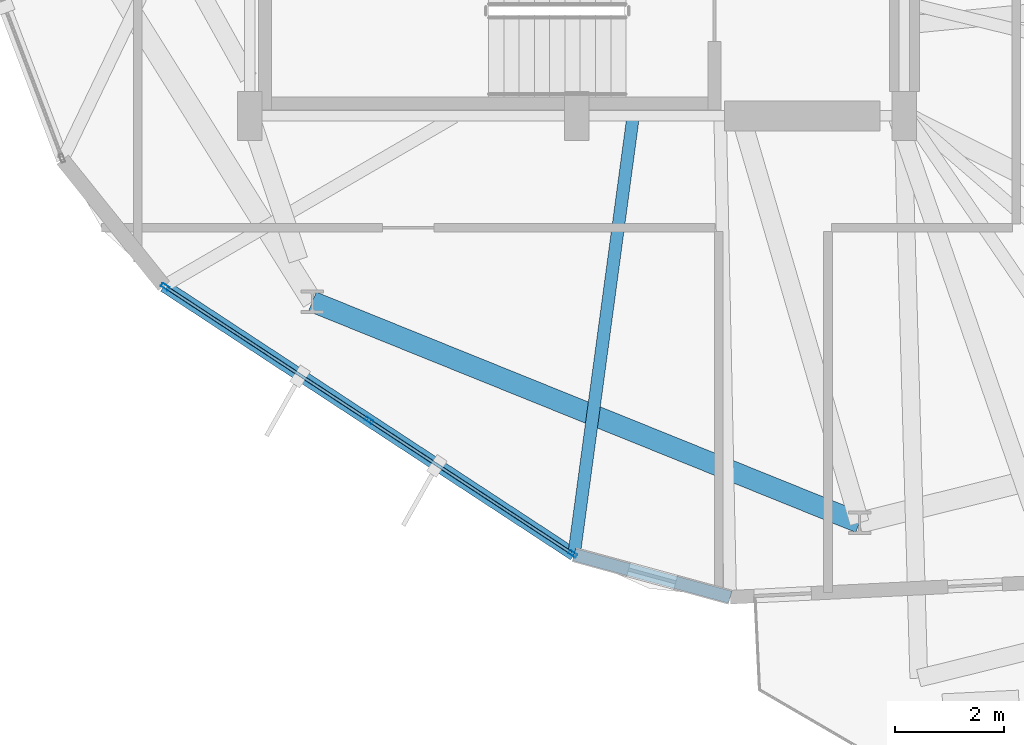
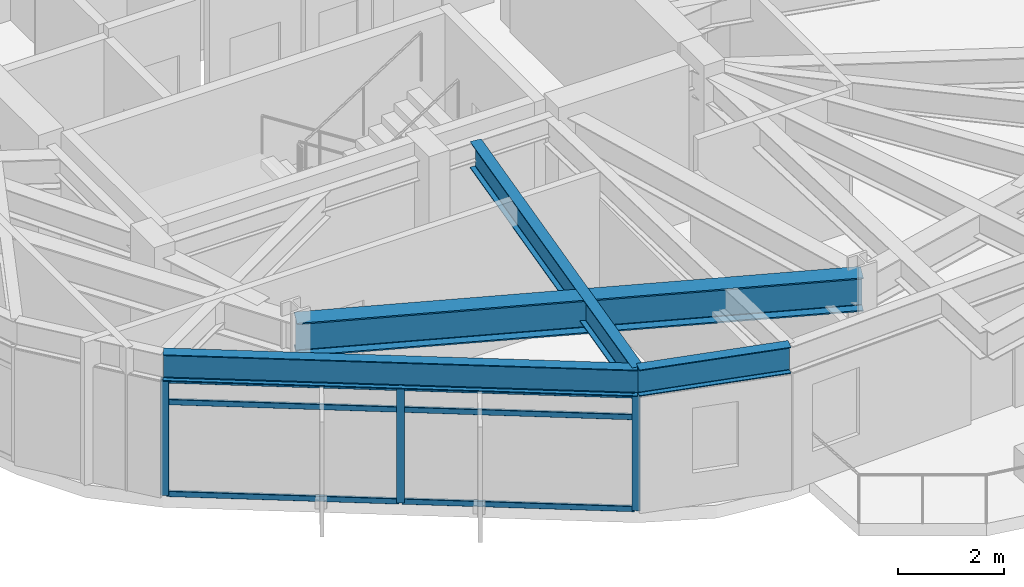
# One storey, part 2 of 23: 9 members, 4 beams, 1 element without a shape of its own.
"""IFC4 building model written with IfcOpenShell, lengths in metres."""

from ifc_helpers import new_model, si_unit, direction, frame, origin, origin_2d, place, context, subcontext, project, spatial, hollow_rectangle, i_section, extrude, material, layer, layer_set, material_profile, profile_set, type_object, element, aggregate, save


model = new_model("IFC4")

# Units and contexts
model_context = context("Model", 3, precision=1e-05, world=origin(), true_north=direction((0.0, 1.0)))
body_context = subcontext(model_context, "Body", "Model", "MODEL_VIEW")
ifc_project = project(units=[si_unit("LENGTHUNIT", "METRE"), si_unit("AREAUNIT", "SQUARE_METRE"), si_unit("VOLUMEUNIT", "CUBIC_METRE"), si_unit("PLANEANGLEUNIT", "RADIAN"), si_unit("MASSUNIT", "GRAM", prefix="KILO")], contexts=[model_context])

# Site, building, storey
site_placement = place(None, origin())
site = spatial("IfcSite", under=ifc_project, at=site_placement, CompositionType="ELEMENT")
building_placement = place(site_placement, origin())
building = spatial("IfcBuilding", under=site, at=building_placement, Name="Soratama Intermodal Tower", CompositionType="ELEMENT")
storey_placement = place(building_placement, frame((0.0, 0.0, 175.0)))
storey = spatial("IfcBuildingStorey", under=building, at=storey_placement, Name="L43", CompositionType="ELEMENT", Elevation=175.0)

# Beams
ifc_material_1 = material(Name="Structural steel ASTM A992 Grade 50", Category="steel")
ifc_material_profile_1 = material_profile(ifc_material_1, i_section(OverallWidth=0.382080078125, OverallDepth=0.779052734375, WebThickness=0.01806640625, FlangeThickness=0.030029296875, FilletRadius=0.01806640625, at=origin_2d()), Name="W30X191")
ifc_profile_set_1 = profile_set([ifc_material_profile_1], Name="Structural steel ASTM A992 Grade 50")
beam_type_1 = type_object("IfcBeamType", Name="BM-RING-W30X191", PredefinedType="BEAM", material=ifc_profile_set_1)
beam_1_placement = place(storey_placement, frame((33.7509765625, 11.593994140625, 2.910400390625), z_axis=(0.927202491827, -0.374560461275, 0.0), x_axis=(0.374560461275, 0.927202491827, 0.0)))
element("IfcBeam", 1, at=beam_1_placement, inside=storey, type_object=beam_type_1, Name="BM-L43-RING-07", PredefinedType="BEAM", context=body_context, shape_type="SweptSolid", body=[
    extrude(i_section(OverallWidth=0.382080078125, OverallDepth=0.779052734375, WebThickness=0.01806640625, FlangeThickness=0.030029296875, FilletRadius=0.01806640625, at=origin_2d()), origin(), (0.0, 0.0, 1.0), 10.8154296875),
])
ifc_material_2 = material(Name="Structural steel ASTM A992 Grade 50", Category="steel")
ifc_material_profile_2 = material_profile(ifc_material_2, i_section(OverallWidth=0.22900390625, OverallDepth=0.612060546875, WebThickness=0.011962890625, FlangeThickness=0.01953125, FilletRadius=0.012939453125, at=origin_2d()), Name="W24X84")
ifc_profile_set_2 = profile_set([ifc_material_profile_2], Name="Structural steel ASTM A992 Grade 50")
beam_type_2 = type_object("IfcBeamType", Name="BM-SPN-W24X84", PredefinedType="SPANDREL", material=ifc_profile_set_2)
beam_2_placement = place(storey_placement, frame((31.031982421875, 11.883056640625, 2.993896484375), z_axis=(0.836343004846, -0.548206510583, 0.0), x_axis=(0.548206510583, 0.836343004846, 0.0)))
element("IfcBeam", 2, at=beam_2_placement, inside=storey, type_object=beam_type_2, Name="BS-L43-F06", PredefinedType="SPANDREL", context=body_context, shape_type="SweptSolid", body=[
    extrude(i_section(OverallWidth=0.22900390625, OverallDepth=0.612060546875, WebThickness=0.011962890625, FlangeThickness=0.01953125, FilletRadius=0.012939453125, at=origin_2d()), origin(), (0.0, 0.0, 1.0), 8.985595703125),
])
beam_3_placement = place(storey_placement, frame((38.547119140625, 6.95703125, 2.993896484375), z_axis=(0.964887186331, -0.262664648659, 0.0), x_axis=(0.262664648659, 0.964887186331, 0.0)))
element("IfcBeam", 3, at=beam_3_placement, inside=storey, type_object=beam_type_2, Name="BS-L43-CRN06", PredefinedType="SPANDREL", context=body_context, shape_type="SweptSolid", body=[
    extrude(i_section(OverallWidth=0.22900390625, OverallDepth=0.612060546875, WebThickness=0.011962890625, FlangeThickness=0.01953125, FilletRadius=0.012939453125, at=origin_2d()), origin(), (0.0, 0.0, 1.0), 2.966064453125),
])
ifc_material_3 = material(Name="Structural steel ASTM A992 Grade 50", Category="steel")
ifc_material_profile_3 = material_profile(ifc_material_3, i_section(OverallWidth=0.22900390625, OverallDepth=0.612060546875, WebThickness=0.011962890625, FlangeThickness=0.01953125, FilletRadius=0.012939453125, at=origin_2d()), Name="W24X84")
ifc_profile_set_3 = profile_set([ifc_material_profile_3], Name="Structural steel ASTM A992 Grade 50")
beam_type_3 = type_object("IfcBeamType", Name="BM-TIE-W24X84", PredefinedType="BEAM", material=ifc_profile_set_3)
beam_4_placement = place(storey_placement, frame((39.6259765625, 14.9599609375, 2.993896484375), z_axis=(-0.133599315551, -0.991035429682, 0.0), x_axis=(0.991035429682, -0.133599315551, 0.0)))
element("IfcBeam", 4, at=beam_4_placement, inside=storey, type_object=beam_type_3, Name="BM-L43-TIE1-06", PredefinedType="BEAM", context=body_context, shape_type="SweptSolid", body=[
    extrude(i_section(OverallWidth=0.22900390625, OverallDepth=0.612060546875, WebThickness=0.011962890625, FlangeThickness=0.01953125, FilletRadius=0.012939453125, at=origin_2d()), origin(), (0.0, 0.0, 1.0), 8.075439453125),
])

# Curtain wall, members
ifc_material_4 = material(Name="Double-glazed aluminium curtain wall", Category="aluminium")
ifc_layer = layer(ifc_material_4, 0.159912109375)
ifc_layer_set = layer_set([ifc_layer], Name="Double-glazed aluminium curtain wall")
curtain_wall_type = type_object("IfcCurtainWallType", Name="CW-SYS-4", PredefinedType="NOTDEFINED", material=ifc_layer_set)
curtain_wall_placement = place(storey_placement, origin())
curtain_wall = element("IfcCurtainWall", 5, at=curtain_wall_placement, inside=storey, type_object=curtain_wall_type, Name="L43 Faceted Curtain Wall F06", PredefinedType="NOTDEFINED")
ifc_material_5 = material(Name="Anodised aluminium AA 6063-T6", Category="aluminium")
ifc_material_profile_4 = material_profile(ifc_material_5, hollow_rectangle(XDim=0.070068359375, YDim=0.159912109375, WallThickness=0.0048828125, InnerFilletRadius=0.0048828125, OuterFilletRadius=0.010009765625, at=origin_2d()), Name="CWM160X70X5")
ifc_profile_set_4 = profile_set([ifc_material_profile_4], Name="Anodised aluminium AA 6063-T6")
member_type_1 = type_object("IfcMemberType", Name="MT-CWM-4", PredefinedType="MULLION", material=ifc_profile_set_4)
member_1_placement = place(storey_placement, frame((31.056640625, 11.866455078125, 0.0), z_axis=(0.0, 0.0, 1.0), x_axis=(0.548141973426, 0.836385304133, 0.0)))
member_1 = element("IfcMember", 6, at=member_1_placement, type_object=member_type_1, Name="CW-4 mullion 1", PredefinedType="MULLION", context=body_context, shape_type="SweptSolid", body=[
    extrude(hollow_rectangle(XDim=0.070068359375, YDim=0.159912109375, WallThickness=0.0048828125, InnerFilletRadius=0.0048828125, OuterFilletRadius=0.010009765625, at=origin_2d()), origin(), (0.0, 0.0, 1.0), 2.678955078125),
])
member_2_placement = place(storey_placement, frame((34.789306640625, 9.420166015625, 0.0), z_axis=(0.0, 0.0, 1.0), x_axis=(0.548141973426, 0.836385304133, 0.0)))
member_2 = element("IfcMember", 7, at=member_2_placement, type_object=member_type_1, Name="CW-4 mullion 2", PredefinedType="MULLION", context=body_context, shape_type="SweptSolid", body=[
    extrude(hollow_rectangle(XDim=0.070068359375, YDim=0.159912109375, WallThickness=0.0048828125, InnerFilletRadius=0.0048828125, OuterFilletRadius=0.010009765625, at=origin_2d()), origin(), (0.0, 0.0, 1.0), 2.678955078125),
])
member_3_placement = place(storey_placement, frame((38.52197265625, 6.973876953125, 0.0), z_axis=(0.0, 0.0, 1.0), x_axis=(0.548141973426, 0.836385304133, 0.0)))
member_3 = element("IfcMember", 8, at=member_3_placement, type_object=member_type_1, Name="CW-4 mullion 3", PredefinedType="MULLION", context=body_context, shape_type="SweptSolid", body=[
    extrude(hollow_rectangle(XDim=0.070068359375, YDim=0.159912109375, WallThickness=0.0048828125, InnerFilletRadius=0.0048828125, OuterFilletRadius=0.010009765625, at=origin_2d()), origin(), (0.0, 0.0, 1.0), 2.678955078125),
])
ifc_material_6 = material(Name="Anodised aluminium AA 6063-T6", Category="aluminium")
ifc_material_profile_5 = material_profile(ifc_material_6, hollow_rectangle(XDim=0.06005859375, YDim=0.1298828125, WallThickness=0.0048828125, InnerFilletRadius=0.0048828125, OuterFilletRadius=0.010009765625, at=origin_2d()), Name="CWT130X60X5")
ifc_profile_set_5 = profile_set([ifc_material_profile_5], Name="Anodised aluminium AA 6063-T6")
member_type_2 = type_object("IfcMemberType", Name="TT-CWT-2", PredefinedType="USERDEFINED", material=ifc_profile_set_5)
member_4_placement = place(storey_placement, frame((31.081787109375, 11.85009765625, 0.030029296875), z_axis=(0.836358563965, -0.54818277288, 0.0), x_axis=(0.54818277288, 0.836358563965, 0.0)))
member_4 = element("IfcMember", 9, at=member_4_placement, type_object=member_type_2, Name="CW-4 transom 1.1", ObjectType="TRANSOM", PredefinedType="USERDEFINED", context=body_context, shape_type="SweptSolid", body=[
    extrude(hollow_rectangle(XDim=0.06005859375, YDim=0.1298828125, WallThickness=0.0048828125, InnerFilletRadius=0.0048828125, OuterFilletRadius=0.010009765625, at=origin_2d()), origin(), (0.0, 0.0, 1.0), 4.40283203125),
])
member_5_placement = place(storey_placement, frame((31.081787109375, 11.85009765625, 2.14990234375), z_axis=(0.836358563965, -0.54818277288, 0.0), x_axis=(0.54818277288, 0.836358563965, 0.0)))
member_5 = element("IfcMember", 10, at=member_5_placement, type_object=member_type_2, Name="CW-4 transom 1.2", ObjectType="TRANSOM", PredefinedType="USERDEFINED", context=body_context, shape_type="SweptSolid", body=[
    extrude(hollow_rectangle(XDim=0.06005859375, YDim=0.1298828125, WallThickness=0.0048828125, InnerFilletRadius=0.0048828125, OuterFilletRadius=0.010009765625, at=origin_2d()), origin(), (0.0, 0.0, 1.0), 4.40283203125),
])
member_6_placement = place(storey_placement, frame((31.081787109375, 11.85009765625, 2.64892578125), z_axis=(0.836358563965, -0.54818277288, 0.0), x_axis=(0.54818277288, 0.836358563965, 0.0)))
member_6 = element("IfcMember", 11, at=member_6_placement, type_object=member_type_2, Name="CW-4 transom 1.3", ObjectType="TRANSOM", PredefinedType="USERDEFINED", context=body_context, shape_type="SweptSolid", body=[
    extrude(hollow_rectangle(XDim=0.06005859375, YDim=0.1298828125, WallThickness=0.0048828125, InnerFilletRadius=0.0048828125, OuterFilletRadius=0.010009765625, at=origin_2d()), origin(), (0.0, 0.0, 1.0), 4.40283203125),
])
member_7_placement = place(storey_placement, frame((34.814453125, 9.40380859375, 0.030029296875), z_axis=(0.836358563965, -0.54818277288, 0.0), x_axis=(0.54818277288, 0.836358563965, 0.0)))
member_7 = element("IfcMember", 12, at=member_7_placement, type_object=member_type_2, Name="CW-4 transom 2.1", ObjectType="TRANSOM", PredefinedType="USERDEFINED", context=body_context, shape_type="SweptSolid", body=[
    extrude(hollow_rectangle(XDim=0.06005859375, YDim=0.1298828125, WallThickness=0.0048828125, InnerFilletRadius=0.0048828125, OuterFilletRadius=0.010009765625, at=origin_2d()), origin(), (0.0, 0.0, 1.0), 4.40283203125),
])
member_8_placement = place(storey_placement, frame((34.814453125, 9.40380859375, 2.14990234375), z_axis=(0.836358563965, -0.54818277288, 0.0), x_axis=(0.54818277288, 0.836358563965, 0.0)))
member_8 = element("IfcMember", 13, at=member_8_placement, type_object=member_type_2, Name="CW-4 transom 2.2", ObjectType="TRANSOM", PredefinedType="USERDEFINED", context=body_context, shape_type="SweptSolid", body=[
    extrude(hollow_rectangle(XDim=0.06005859375, YDim=0.1298828125, WallThickness=0.0048828125, InnerFilletRadius=0.0048828125, OuterFilletRadius=0.010009765625, at=origin_2d()), origin(), (0.0, 0.0, 1.0), 4.40283203125),
])
member_9_placement = place(storey_placement, frame((34.814453125, 9.40380859375, 2.64892578125), z_axis=(0.836358563965, -0.54818277288, 0.0), x_axis=(0.54818277288, 0.836358563965, 0.0)))
member_9 = element("IfcMember", 14, at=member_9_placement, type_object=member_type_2, Name="CW-4 transom 2.3", ObjectType="TRANSOM", PredefinedType="USERDEFINED", context=body_context, shape_type="SweptSolid", body=[
    extrude(hollow_rectangle(XDim=0.06005859375, YDim=0.1298828125, WallThickness=0.0048828125, InnerFilletRadius=0.0048828125, OuterFilletRadius=0.010009765625, at=origin_2d()), origin(), (0.0, 0.0, 1.0), 4.40283203125),
])
aggregate(curtain_wall, [member_1, member_2, member_3, member_4, member_5, member_6, member_7, member_8, member_9])

save(model, "model.ifc")
